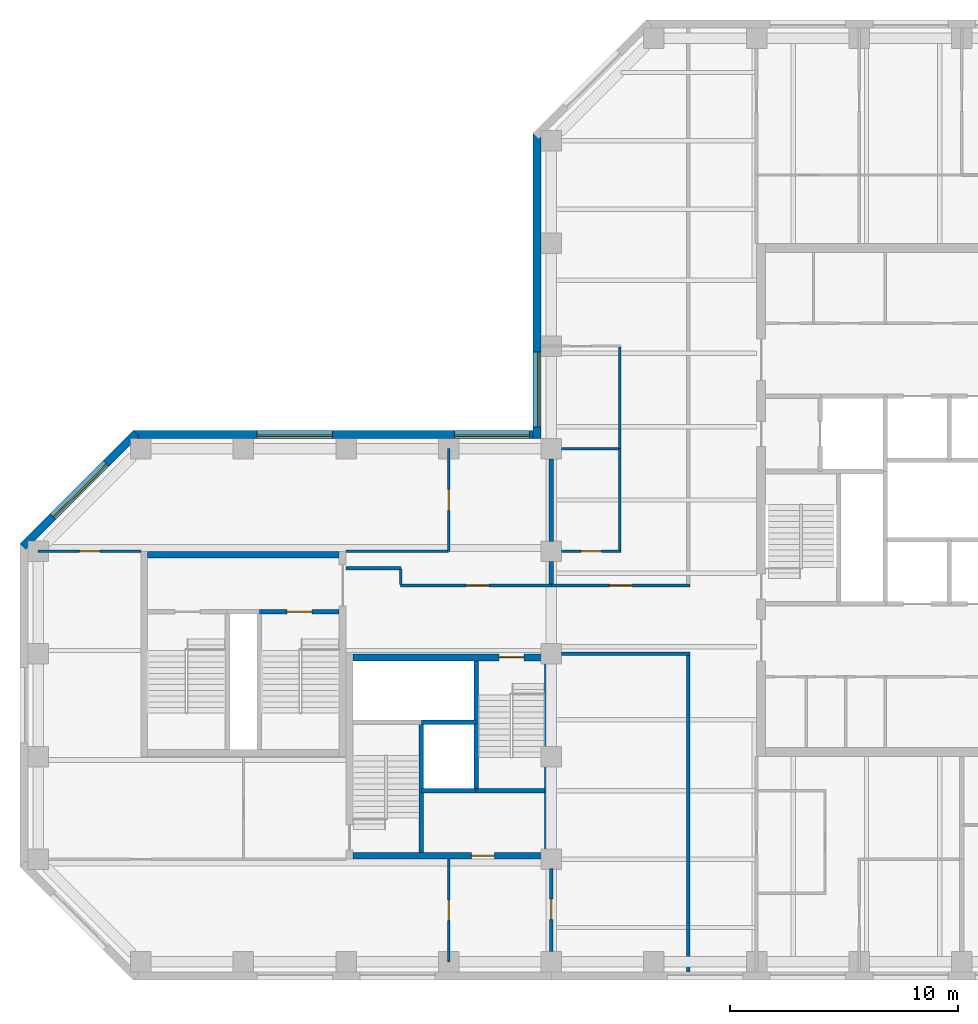
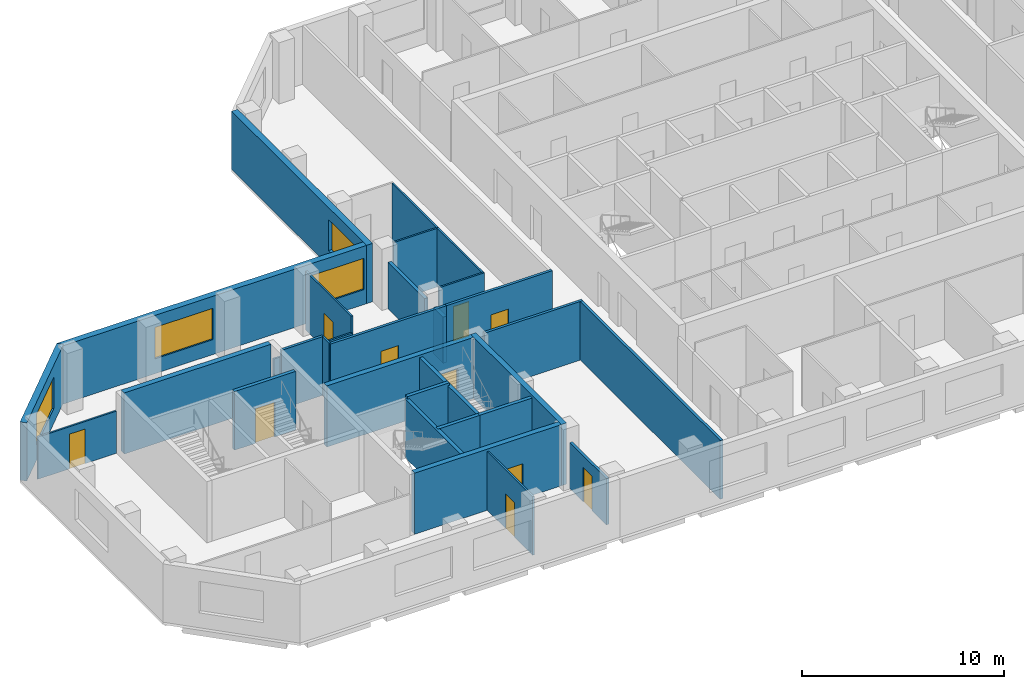
# One storey, part 3 of 9: 30 walls, 10 doors, 4 windows, 14 openings.
"""IFC4 building model written with IfcOpenShell, lengths in metres."""

import ifcopenshell
import ifcopenshell.guid

model = None  # the IFC model being written
_history = None  # IfcOwnerHistory: only IFC2X3 demands one
_inside = {}  # id of a spatial element -> (the spatial element, [elements in it])
_under = {}  # id of a project, library or spatial element -> (it, [spatial elements below it])
_declared = {}  # id of a project -> (the project, [libraries it declares])
_typed = {}  # id of a type object -> (the type object, [elements of that type])
_made_of = {}  # id of a material, layer set ... -> (it, [elements and type objects made of it])


def new_model(schema):
    """Start an empty IFC model of exactly this schema.

    Asked for "IFC4X3", IfcOpenShell would pick the latest addendum, in which some entities
    have other attributes; the version numbers below select the first issue.
    IFC2X3 requires an IfcOwnerHistory on every rooted entity: one is made here for all.
    """
    global model, _history
    if schema == "IFC4X3":
        model = ifcopenshell.file(schema_version=(4, 3, 0, 0))
    else:
        model = ifcopenshell.file(schema=schema)
    _inside.clear()
    _under.clear()
    _declared.clear()
    _typed.clear()
    _made_of.clear()
    _history = None
    if model.schema == "IFC2X3":
        org = make("IfcOrganization", Name="unknown")
        user = make(
            "IfcPersonAndOrganization",
            ThePerson=make("IfcPerson", FamilyName="unknown"),
            TheOrganization=org,
        )
        app = make(
            "IfcApplication",
            ApplicationDeveloper=org,
            Version="unknown",
            ApplicationFullName="unknown",
            ApplicationIdentifier="unknown",
        )
        _history = make(
            "IfcOwnerHistory",
            OwningUser=user,
            OwningApplication=app,
            ChangeAction="ADDED",
            CreationDate=0,
        )
    return model


def make(cls, **values):
    """One entity of the class cls with the attributes given. An attribute that is None is left unset."""
    return model.create_entity(
        cls, **{name: value for name, value in values.items() if value is not None}
    )


def rooted(cls, **values):
    """An entity with a GlobalId (a new one), such as an element, a storey or a relation."""
    return make(cls, GlobalId=ifcopenshell.guid.new(), OwnerHistory=_history, **values)


def si_unit(unit_type, name, prefix=None):
    """IfcSIUnit, for example si_unit("LENGTHUNIT", "METRE", prefix="MILLI")."""
    return make("IfcSIUnit", UnitType=unit_type, Prefix=prefix, Name=name)


def assignment(units):
    """IfcUnitAssignment: the units of a project."""
    return None if units is None else make("IfcUnitAssignment", Units=units)


def point(xyz):
    """IfcCartesianPoint."""
    return None if xyz is None else make("IfcCartesianPoint", Coordinates=xyz)


def direction(xyz):
    """IfcDirection."""
    return None if xyz is None else make("IfcDirection", DirectionRatios=xyz)


def frame(location, z_axis=None, x_axis=None):
    """IfcAxis2Placement3D, a coordinate frame: its origin and axes. An axis left out is left unset."""
    return make(
        "IfcAxis2Placement3D",
        Location=point(location),
        Axis=direction(z_axis),
        RefDirection=direction(x_axis),
    )


def frame_2d(location, x_axis=None):
    """IfcAxis2Placement2D, a coordinate frame in the plane: its origin and x axis."""
    return make(
        "IfcAxis2Placement2D", Location=point(location), RefDirection=direction(x_axis)
    )


def origin():
    """The frame at (0, 0, 0) with its axes left unset."""
    return frame((0.0, 0.0, 0.0))


def place(relative_to, where):
    """IfcLocalPlacement: puts the frame where relative to a parent placement (None: the world)."""
    return make(
        "IfcLocalPlacement", PlacementRelTo=relative_to, RelativePlacement=where
    )


def context(
    kind, dimensions, precision=None, world=None, true_north=None, identifier=None
):
    """IfcGeometricRepresentationContext, for example the 3D "Model" context."""
    return make(
        "IfcGeometricRepresentationContext",
        ContextIdentifier=identifier,
        ContextType=kind,
        CoordinateSpaceDimension=dimensions,
        Precision=precision,
        WorldCoordinateSystem=world,
        TrueNorth=true_north,
    )


def subcontext(parent, identifier, kind, view, scale=None):
    """IfcGeometricRepresentationSubContext, for example "Body" below "Model"."""
    return make(
        "IfcGeometricRepresentationSubContext",
        ContextIdentifier=identifier,
        ContextType=kind,
        ParentContext=parent,
        TargetScale=scale,
        TargetView=view,
    )


def project(units=None, contexts=None):
    """IfcProject with its units and contexts."""
    return rooted(
        "IfcProject",
        Name="project",
        RepresentationContexts=contexts,
        UnitsInContext=assignment(units),
    )


def spatial(cls, under=None, at=None, **own):
    """A site, building, storey or space (cls), placed at a placement, below another one or the project."""
    s = rooted(cls, ObjectPlacement=at, **own)
    if under is not None:
        _under.setdefault(under.id(), (under, []))[1].append(s)
    return s


def profile(cls, at=None, kind="AREA", **sizes):
    """A parametric profile (cls). Its sizes go by their IFC names, for example OverallWidth=200.0."""
    return make(cls, ProfileType=kind, Position=at, **sizes)


def rectangle(**sizes):
    """IfcRectangleProfileDef."""
    return profile("IfcRectangleProfileDef", **sizes)


def extrude(swept, where, along, depth):
    """IfcExtrudedAreaSolid: the profile swept, set in the frame where, extruded along a direction by depth."""
    return make(
        "IfcExtrudedAreaSolid",
        SweptArea=swept,
        Position=where,
        ExtrudedDirection=direction(along),
        Depth=depth,
    )


def shape(context_of_items, identifier, shape_type, items):
    """IfcShapeRepresentation: the items that make up one representation, for example the "Body"."""
    return make(
        "IfcShapeRepresentation",
        ContextOfItems=context_of_items,
        RepresentationIdentifier=identifier,
        RepresentationType=shape_type,
        Items=items,
    )


def material(Name=None, Category=None):
    """IfcMaterial."""
    return make("IfcMaterial", Name=Name, Category=Category)


def layer(
    of_material, thickness, ventilated=None, Name=None, Category=None, Priority=None
):
    """IfcMaterialLayer: one layer of a wall or slab, of a material (None: an air gap)."""
    return make(
        "IfcMaterialLayer",
        Material=of_material,
        LayerThickness=thickness,
        IsVentilated=ventilated,
        Name=Name,
        Category=Category,
        Priority=Priority,
    )


def layer_set(layers, Name=None):
    """IfcMaterialLayerSet."""
    return make("IfcMaterialLayerSet", MaterialLayers=layers, LayerSetName=Name)


def constituent(of_material, Name=None, Category=None, fraction=None):
    """IfcMaterialConstituent: one of the materials an element consists of."""
    return make(
        "IfcMaterialConstituent",
        Name=Name,
        Material=of_material,
        Fraction=fraction,
        Category=Category,
    )


def constituent_set(constituents=None, Name=None):
    """IfcMaterialConstituentSet."""
    return make(
        "IfcMaterialConstituentSet", Name=Name, MaterialConstituents=constituents
    )


def made_of(thing, what):
    """Note that an element or type object is made of a material, layer set ...; save() writes the relation."""
    if what is not None:
        _made_of.setdefault(what.id(), (what, []))[1].append(thing)
    return thing


def type_object(cls, material=None, **own):
    """A type object (cls), such as IfcWallType, which elements share."""
    return made_of(rooted(cls, **own), material)


def element(
    cls,
    number,
    at=None,
    inside=None,
    cuts=None,
    type_object=None,
    material=None,
    context=None,
    identifier="Body",
    shape_type=None,
    held_by="IfcProductDefinitionShape",
    body=None,
    shapes=None,
    **own,
):
    """One element of the class cls, such as IfcWall. Its Tag is "e" and its number.

    at: its placement. inside: the storey or other place that contains it. cuts: it is an
    opening in that element (IfcRelVoidsElement). A single representation is given by context,
    identifier, shape_type and body (its items); several are given by shapes. held_by: the class
    of the entity that holds the representations. save() writes the other relations.
    """
    e = rooted(cls, Tag="e%d" % number, ObjectPlacement=at, **own)
    if body is not None:
        shapes = [shape(context, identifier, shape_type, body)]
    if shapes is not None:
        e.Representation = make(held_by, Representations=shapes)
    if inside is not None:
        _inside.setdefault(inside.id(), (inside, []))[1].append(e)
    if cuts is not None:
        rooted(
            "IfcRelVoidsElement", RelatingBuildingElement=cuts, RelatedOpeningElement=e
        )
    if type_object is not None:
        _typed.setdefault(type_object.id(), (type_object, []))[1].append(e)
    return made_of(e, material)


def fill(opening, filler):
    """IfcRelFillsElement: the door or window that sits in an opening."""
    return rooted(
        "IfcRelFillsElement",
        RelatingOpeningElement=opening,
        RelatedBuildingElement=filler,
    )


def aggregate(whole, parts):
    """IfcRelAggregates: a whole, such as a stair, and the parts it consists of."""
    return rooted("IfcRelAggregates", RelatingObject=whole, RelatedObjects=parts)


def save(model, path):
    """Write the relations noted so far, then the file.

    IfcRelAggregates (storeys below a building ...), IfcRelContainedInSpatialStructure (elements
    in a storey), IfcRelDefinesByType, IfcRelAssociatesMaterial and IfcRelDeclares: one each for
    every whole, place, type object, material and project.
    """
    for whole, parts in _under.values():
        aggregate(whole, parts)
    for where, things in _inside.values():
        rooted(
            "IfcRelContainedInSpatialStructure",
            RelatedElements=things,
            RelatingStructure=where,
        )
    for kind, things in _typed.values():
        rooted("IfcRelDefinesByType", RelatedObjects=things, RelatingType=kind)
    for what, things in _made_of.values():
        rooted("IfcRelAssociatesMaterial", RelatedObjects=things, RelatingMaterial=what)
    for by, libraries in _declared.values():
        rooted("IfcRelDeclares", RelatingContext=by, RelatedDefinitions=libraries)
    model.write(path)


model = new_model("IFC4")

# Units and contexts
model_context = context("Model", 3, precision=1e-05, world=origin(), true_north=direction((0.0, 1.0)))
body_context = subcontext(model_context, "Body", "Model", "MODEL_VIEW")
ifc_project = project(units=[si_unit("LENGTHUNIT", "METRE"), si_unit("AREAUNIT", "SQUARE_METRE"), si_unit("VOLUMEUNIT", "CUBIC_METRE"), si_unit("PLANEANGLEUNIT", "RADIAN"), si_unit("MASSUNIT", "GRAM", prefix="KILO")], contexts=[model_context])

# Site, building, storey
site_placement = place(None, origin())
site = spatial("IfcSite", under=ifc_project, at=site_placement, CompositionType="ELEMENT")
building_placement = place(site_placement, origin())
building = spatial("IfcBuilding", under=site, at=building_placement, Name="Quoin Convention Tower", CompositionType="ELEMENT")
storey_placement = place(building_placement, frame((0.0, 0.0, 241.5)))
storey = spatial("IfcBuildingStorey", under=building, at=storey_placement, Name="L63", CompositionType="ELEMENT", Elevation=241.5)

# Wall, opening, window
ifc_material_1 = material(Name="Brick masonry", Category="masonry")
ifc_layer_1 = layer(ifc_material_1, 0.35009765625)
ifc_layer_set_1 = layer_set([ifc_layer_1], Name="Brick masonry")
wall_type_1 = type_object("IfcWallType", Name="Brick facade wall", PredefinedType="STANDARD", material=ifc_layer_set_1)
wall_1_placement = place(storey_placement, frame((35.375, 76.831298828125, 0.0), z_axis=(0.0, 0.0, 1.0), x_axis=(0.0, -1.0, 0.0)))
wall_1 = element("IfcWall", 1, at=wall_1_placement, inside=storey, type_object=wall_type_1, Name="fw-L63-36000_76500", PredefinedType="STANDARD", context=body_context, shape_type="SweptSolid", body=[
    extrude(rectangle(XDim=13.38134765625, YDim=0.35009765625, at=frame_2d((6.690673828125, 0.0))), origin(), (0.0, 0.0, 1.0), 3.52490234375),
])
opening_1_placement = place(wall_1_placement, frame((9.581298828125, 0.0, 0.89990234375)))
opening_1 = element("IfcOpeningElement", 2, at=opening_1_placement, cuts=wall_1, Name="Opening W-02", PredefinedType="OPENING", context=body_context, shape_type="SweptSolid", body=[
    extrude(rectangle(XDim=3.300048828125, YDim=1.89990234375, at=frame_2d((1.64990234375, 0.949951171875))), frame((0.0, 0.18505859375, 0.0), z_axis=(0.0, -1.0, 0.0), x_axis=(1.0, 0.0, 0.0)), (0.0, 0.0, 1.0), 0.3701171875),
])
ifc_material_2 = material(Name="Aluminium", Category="aluminium")
ifc_constituent_1 = constituent(ifc_material_2, Name="Frame")
ifc_material_3 = material(Name="Insulated glass", Category="glass")
ifc_constituent_2 = constituent(ifc_material_3, Name="Glazing")
ifc_constituent_set = constituent_set(constituents=[ifc_constituent_1, ifc_constituent_2], Name="Aluminium")
window_type = type_object("IfcWindowType", Name="Office window", PartitioningType="DOUBLE_PANEL_VERTICAL", PredefinedType="WINDOW", material=ifc_constituent_set)
window_1_placement = place(opening_1_placement, origin())
window_1 = element("IfcWindow", 3, at=window_1_placement, inside=storey, type_object=window_type, Name="win-L63-35375_65250", OverallHeight=1.89990234375, OverallWidth=3.300048828125, PartitioningType="SINGLE_PANEL", PredefinedType="WINDOW", context=body_context, shape_type="SweptSolid", body=[
    extrude(rectangle(XDim=3.300048828125, YDim=1.89990234375, at=frame_2d((1.64990234375, 0.949951171875))), frame((0.0, 0.0849609375, 0.0), z_axis=(0.0, -1.0, 0.0), x_axis=(1.0, 0.0, 0.0)), (0.0, 0.0, 1.0), 0.06005859375),
])
fill(opening_1, window_1)

# Wall, openings, windows
wall_2_placement = place(storey_placement, frame((35.550048828125, 63.625, 0.0), z_axis=(0.0, 0.0, 1.0), x_axis=(-1.0, 0.0, 0.0)))
wall_2 = element("IfcWall", 4, at=wall_2_placement, inside=storey, type_object=wall_type_1, Name="fw-L63-36000_63000", PredefinedType="STANDARD", context=body_context, shape_type="SweptSolid", body=[
    extrude(rectangle(XDim=17.88134765625, YDim=0.35009765625, at=frame_2d((8.940673828125, 0.0))), origin(), (0.0, 0.0, 1.0), 3.52490234375),
])
opening_2_placement = place(wall_2_placement, frame((0.5, 0.0, 0.89990234375)))
opening_2 = element("IfcOpeningElement", 5, at=opening_2_placement, cuts=wall_2, Name="Opening W-02", PredefinedType="OPENING", context=body_context, shape_type="SweptSolid", body=[
    extrude(rectangle(XDim=3.300048828125, YDim=1.89990234375, at=frame_2d((1.64990234375, 0.949951171875))), frame((0.0, 0.18505859375, 0.0), z_axis=(0.0, -1.0, 0.0), x_axis=(1.0, 0.0, 0.0)), (0.0, 0.0, 1.0), 0.3701171875),
])
opening_3_placement = place(wall_2_placement, frame((9.14990234375, 0.0, 0.89990234375)))
opening_3 = element("IfcOpeningElement", 6, at=opening_3_placement, cuts=wall_2, Name="Opening W-02", PredefinedType="OPENING", context=body_context, shape_type="SweptSolid", body=[
    extrude(rectangle(XDim=3.300048828125, YDim=1.89990234375, at=frame_2d((1.64990234375, 0.949951171875))), frame((0.0, 0.18505859375, 0.0), z_axis=(0.0, -1.0, 0.0), x_axis=(1.0, 0.0, 0.0)), (0.0, 0.0, 1.0), 0.3701171875),
])
window_2_placement = place(opening_2_placement, origin())
window_2 = element("IfcWindow", 7, at=window_2_placement, inside=storey, type_object=window_type, Name="win-L63-33750_63625", OverallHeight=1.89990234375, OverallWidth=3.300048828125, PartitioningType="SINGLE_PANEL", PredefinedType="WINDOW", context=body_context, shape_type="SweptSolid", body=[
    extrude(rectangle(XDim=3.300048828125, YDim=1.89990234375, at=frame_2d((1.64990234375, 0.949951171875))), frame((0.0, 0.0849609375, 0.0), z_axis=(0.0, -1.0, 0.0), x_axis=(1.0, 0.0, 0.0)), (0.0, 0.0, 1.0), 0.06005859375),
])
fill(opening_2, window_2)
window_3_placement = place(opening_3_placement, origin())
window_3 = element("IfcWindow", 8, at=window_3_placement, inside=storey, type_object=window_type, Name="win-L63-24750_63625", OverallHeight=1.89990234375, OverallWidth=3.300048828125, PartitioningType="SINGLE_PANEL", PredefinedType="WINDOW", context=body_context, shape_type="SweptSolid", body=[
    extrude(rectangle(XDim=3.300048828125, YDim=1.89990234375, at=frame_2d((1.64990234375, 0.949951171875))), frame((0.0, 0.0849609375, 0.0), z_axis=(0.0, -1.0, 0.0), x_axis=(1.0, 0.0, 0.0)), (0.0, 0.0, 1.0), 0.06005859375),
])
fill(opening_3, window_3)

# Wall, opening, window
wall_3_placement = place(storey_placement, frame((17.79248046875, 63.67626953125, 0.0), z_axis=(0.0, 0.0, 1.0), x_axis=(-0.707106781187, -0.707106781187, 0.0)))
wall_3 = element("IfcWall", 9, at=wall_3_placement, inside=storey, type_object=wall_type_1, Name="fw-L63-18000_63000", PredefinedType="STANDARD", context=body_context, shape_type="SweptSolid", body=[
    extrude(rectangle(XDim=7.02685546875, YDim=0.35009765625, at=frame_2d((3.513427734375, 0.0))), origin(), (0.0, 0.0, 1.0), 3.52490234375),
])
opening_4_placement = place(wall_3_placement, frame((1.86328125, 0.0, 0.89990234375)))
opening_4 = element("IfcOpeningElement", 10, at=opening_4_placement, cuts=wall_3, Name="Opening W-02", PredefinedType="OPENING", context=body_context, shape_type="SweptSolid", body=[
    extrude(rectangle(XDim=3.300048828125, YDim=1.89990234375, at=frame_2d((1.64990234375, 0.949951171875))), frame((0.0, 0.18505859375, 0.0), z_axis=(0.0, -1.0, 0.0), x_axis=(1.0, 0.0, 0.0)), (0.0, 0.0, 1.0), 0.3701171875),
])
window_4_placement = place(opening_4_placement, origin())
window_4 = element("IfcWindow", 11, at=window_4_placement, inside=storey, type_object=window_type, Name="win-L63-15308_61192", OverallHeight=1.89990234375, OverallWidth=3.300048828125, PartitioningType="SINGLE_PANEL", PredefinedType="WINDOW", context=body_context, shape_type="SweptSolid", body=[
    extrude(rectangle(XDim=3.300048828125, YDim=1.89990234375, at=frame_2d((1.64990234375, 0.949951171875))), frame((0.0, 0.0849609375, 0.0), z_axis=(0.0, -1.0, 0.0), x_axis=(1.0, 0.0, 0.0)), (0.0, 0.0, 1.0), 0.06005859375),
])
fill(opening_4, window_4)

# Walls
ifc_material_4 = material(Name="Concrete C50", Category="concrete")
ifc_layer_2 = layer(ifc_material_4, 0.199951171875)
ifc_layer_set_2 = layer_set([ifc_layer_2], Name="Concrete C50")
wall_type_2 = type_object("IfcWallType", Name="Core shaft wall", PredefinedType="SOLIDWALL", material=ifc_layer_set_2)
wall_4_placement = place(storey_placement, frame((30.300048828125, 48.0, 0.0), z_axis=(0.0, 0.0, 1.0), x_axis=(1.0, 0.0, 0.0)))
element("IfcWall", 12, at=wall_4_placement, inside=storey, type_object=wall_type_2, Name="cr-P2-L63-h3000_3300", PredefinedType="SOLIDWALL", context=body_context, shape_type="SweptSolid", body=[
    extrude(rectangle(XDim=2.39990234375, YDim=0.199951171875, at=frame_2d((1.199951171875, 0.0))), origin(), (0.0, 0.0, 1.0), 3.550048828125),
])
wall_5_placement = place(storey_placement, frame((32.699951171875, 48.0, 0.0), z_axis=(0.0, 0.0, 1.0), x_axis=(1.0, 0.0, 0.0)))
element("IfcWall", 13, at=wall_5_placement, inside=storey, type_object=wall_type_2, Name="cr-P2-L63-h3000_5700", PredefinedType="SOLIDWALL", context=body_context, shape_type="SweptSolid", body=[
    extrude(rectangle(XDim=3.0, YDim=0.199951171875, at=frame_2d((1.5, 0.0))), origin(), (0.0, 0.0, 1.0), 3.550048828125),
])
for number, where, z_axis, x_axis, name in (
    (14, (30.300048828125, 45.300048828125, 0.0), (0.0, 0.0, 1.0), (0.0, 1.0, 0.0), "cr-P2-L63-v3300_300"),
    (15, (32.699951171875, 48.0, 0.0), (0.0, 0.0, 1.0), (0.0, 1.0, 0.0), "cr-P2-L63-v5700_3000"),
):
    element("IfcWall", number, at=place(storey_placement, frame(where, z_axis=z_axis, x_axis=x_axis)), inside=storey, type_object=wall_type_2, Name=name, PredefinedType="SOLIDWALL", context=body_context, shape_type="SweptSolid", body=[
        extrude(rectangle(XDim=5.699951171875, YDim=0.199951171875, at=frame_2d((2.85009765625, 0.0))), origin(), (0.0, 0.0, 1.0), 3.550048828125),
    ])

# Wall, opening, door
wall_6_placement = place(storey_placement, frame((23.199951171875, 55.85009765625, 0.0), z_axis=(0.0, 0.0, 1.0), x_axis=(1.0, 0.0, 0.0)))
wall_6 = element("IfcWall", 16, at=wall_6_placement, inside=storey, type_object=wall_type_2, Name="cr-P6-L63-h6350_5200", PredefinedType="SOLIDWALL", context=body_context, shape_type="SweptSolid", body=[
    extrude(rectangle(XDim=3.5, YDim=0.199951171875, at=frame_2d((1.75, 0.0))), origin(), (0.0, 0.0, 1.0), 3.550048828125),
])
opening_5_placement = place(wall_6_placement, frame((1.199951171875, 0.0, 0.0)))
opening_5 = element("IfcOpeningElement", 17, at=opening_5_placement, cuts=wall_6, Name="Opening SD12", PredefinedType="OPENING", context=body_context, shape_type="SweptSolid", body=[
    extrude(rectangle(XDim=1.10009765625, YDim=2.10009765625, at=frame_2d((0.550048828125, 1.050048828125))), frame((0.0, 0.10986328125, 0.0), z_axis=(0.0, -1.0, 0.0), x_axis=(1.0, 0.0, 0.0)), (0.0, 0.0, 1.0), 0.219970703125),
])
ifc_material_5 = material(Name="Steel door leaf", Category="steel")
door_type_1 = type_object("IfcDoorType", Name="Stair door 1100 x 2100", OperationType="SINGLE_SWING_RIGHT", PredefinedType="DOOR", material=ifc_material_5)
door_1_placement = place(opening_5_placement, origin())
door_1 = element("IfcDoor", 18, at=door_1_placement, inside=storey, type_object=door_type_1, Name="cd-P6-L63-SB-R2-SD12", OperationType="SINGLE_SWING_RIGHT", OverallHeight=2.10009765625, OverallWidth=1.10009765625, PredefinedType="DOOR", context=body_context, shape_type="SweptSolid", body=[
    extrude(rectangle(XDim=1.10009765625, YDim=2.10009765625, at=frame_2d((0.550048828125, 1.050048828125))), frame((0.0, 0.02490234375, 0.0), z_axis=(0.0, -1.0, 0.0), x_axis=(1.0, 0.0, 0.0)), (0.0, 0.0, 1.0), 0.050048828125),
])
fill(opening_5, door_1)

# Walls
ifc_layer_3 = layer(ifc_material_4, 0.199951171875)
ifc_layer_set_3 = layer_set([ifc_layer_3], Name="Concrete C50")
wall_type_3 = type_object("IfcWallType", Name="Core shaft wall to the floor level over", PredefinedType="SOLIDWALL", material=ifc_layer_set_3)
wall_7_placement = place(storey_placement, frame((30.300048828125, 51.0, 0.0), z_axis=(0.0, 0.0, 1.0), x_axis=(1.0, 0.0, 0.0)))
element("IfcWall", 19, at=wall_7_placement, inside=storey, type_object=wall_type_3, Name="cr-P2-L63-h6000_3300", PredefinedType="SOLIDWALL", context=body_context, shape_type="SweptSolid", body=[
    extrude(rectangle(XDim=2.39990234375, YDim=0.199951171875, at=frame_2d((1.199951171875, 0.0))), origin(), (0.0, 0.0, 1.0), 3.699951171875),
])
ifc_material_6 = material(Name="Plasterboard")
ifc_layer_4 = layer(ifc_material_6, 0.012451171875, Name="Finish")
ifc_material_7 = material(Name="Steel stud framing", Category="steel")
ifc_layer_5 = layer(ifc_material_7, 0.125, Name="Structure")
ifc_layer_6 = layer(ifc_material_6, 0.012451171875, Name="Finish")
ifc_layer_set_4 = layer_set([ifc_layer_4, ifc_layer_5, ifc_layer_6], Name="Steel stud framing")
wall_type_4 = type_object("IfcWallType", Name="Corridor wall 150", PredefinedType="PARTITIONING", material=ifc_layer_set_4)
wall_8_placement = place(storey_placement, frame((36.449951171875, 54.0, 0.0), z_axis=(0.0, 0.0, 1.0), x_axis=(1.0, 0.0, 0.0)))
element("IfcWall", 20, at=wall_8_placement, inside=storey, type_object=wall_type_4, Name="pw-L63-016", PredefinedType="PARTITIONING", context=body_context, shape_type="SweptSolid", body=[
    extrude(rectangle(XDim=5.625, YDim=0.14990234375, at=frame_2d((2.8125, 0.0))), origin(), (0.0, 0.0, 1.0), 3.550048828125),
])

# Wall, opening, door
wall_9_placement = place(storey_placement, frame((29.3798828125, 57.0, 0.0), z_axis=(0.0, 0.0, 1.0), x_axis=(1.0, 0.0, 0.0)))
wall_9 = element("IfcWall", 21, at=wall_9_placement, inside=storey, type_object=wall_type_4, Name="pw-L63-018", PredefinedType="PARTITIONING", context=body_context, shape_type="SweptSolid", body=[
    extrude(rectangle(XDim=6.6201171875, YDim=0.14990234375, at=frame_2d((3.31005859375, 0.0))), origin(), (0.0, 0.0, 1.0), 3.550048828125),
])
opening_6_placement = place(wall_9_placement, frame((2.8798828125, 0.0, 0.0)))
opening_6 = element("IfcOpeningElement", 22, at=opening_6_placement, cuts=wall_9, Name="Opening DOH11-03", PredefinedType="OPENING", context=body_context, shape_type="SweptSolid", body=[
    extrude(rectangle(XDim=1.0, YDim=2.10009765625, at=frame_2d((0.5, 1.050048828125))), frame((0.0, 0.0849609375, 0.0), z_axis=(0.0, -1.0, 0.0), x_axis=(1.0, 0.0, 0.0)), (0.0, 0.0, 1.0), 0.169921875),
])
door_type_2 = type_object("IfcDoorType", Name="Tenancy entrance door 1000 x 2100", OperationType="DOUBLE_DOOR_SINGLE_SWING", PredefinedType="DOOR", material=ifc_material_5)
door_2_placement = place(opening_6_placement, origin())
door_2 = element("IfcDoor", 23, at=door_2_placement, inside=storey, type_object=door_type_2, Name="dr-L63-w01", OperationType="DOUBLE_DOOR_SINGLE_SWING", OverallHeight=2.10009765625, OverallWidth=1.0, PredefinedType="DOOR", context=body_context, shape_type="SweptSolid", body=[
    extrude(rectangle(XDim=1.0, YDim=2.10009765625, at=frame_2d((0.5, 1.050048828125))), frame((0.0, 0.02490234375, 0.0), z_axis=(0.0, -1.0, 0.0), x_axis=(1.0, 0.0, 0.0)), (0.0, 0.0, 1.0), 0.050048828125),
])
fill(opening_6, door_2)

wall_10_placement = place(storey_placement, frame((36.0, 57.0, 0.0), z_axis=(0.0, 0.0, 1.0), x_axis=(1.0, 0.0, 0.0)))
wall_10 = element("IfcWall", 24, at=wall_10_placement, inside=storey, type_object=wall_type_4, Name="pw-L63-019", PredefinedType="PARTITIONING", context=body_context, shape_type="SweptSolid", body=[
    extrude(rectangle(XDim=6.074951171875, YDim=0.14990234375, at=frame_2d((3.03759765625, 0.0))), origin(), (0.0, 0.0, 1.0), 3.550048828125),
])
opening_7_placement = place(wall_10_placement, frame((2.550048828125, 0.0, 0.0)))
opening_7 = element("IfcOpeningElement", 25, at=opening_7_placement, cuts=wall_10, Name="Opening DOH11-04", PredefinedType="OPENING", context=body_context, shape_type="SweptSolid", body=[
    extrude(rectangle(XDim=1.0, YDim=2.10009765625, at=frame_2d((0.5, 1.050048828125))), frame((0.0, 0.0849609375, 0.0), z_axis=(0.0, -1.0, 0.0), x_axis=(1.0, 0.0, 0.0)), (0.0, 0.0, 1.0), 0.169921875),
])
door_3_placement = place(opening_7_placement, origin())
door_3 = element("IfcDoor", 26, at=door_3_placement, inside=storey, type_object=door_type_2, Name="dr-L63-07", OperationType="DOUBLE_DOOR_SINGLE_SWING", OverallHeight=2.10009765625, OverallWidth=1.0, PredefinedType="DOOR", context=body_context, shape_type="SweptSolid", body=[
    extrude(rectangle(XDim=1.0, YDim=2.10009765625, at=frame_2d((0.5, 1.050048828125))), frame((0.0, 0.02490234375, 0.0), z_axis=(0.0, -1.0, 0.0), x_axis=(1.0, 0.0, 0.0)), (0.0, 0.0, 1.0), 0.050048828125),
])
fill(opening_7, door_3)

# Walls
wall_11_placement = place(storey_placement, frame((42.0, 40.050048828125, 0.0), z_axis=(0.0, 0.0, 1.0), x_axis=(0.0, 1.0, 0.0)))
element("IfcWall", 27, at=wall_11_placement, inside=storey, type_object=wall_type_4, Name="pw-L63-035", PredefinedType="PARTITIONING", context=body_context, shape_type="SweptSolid", body=[
    extrude(rectangle(XDim=13.875, YDim=0.14990234375, at=frame_2d((6.9375, 0.0))), origin(), (0.0, 0.0, 1.0), 3.550048828125),
])
wall_12_placement = place(storey_placement, frame((27.0, 57.75, 0.0), z_axis=(0.0, 0.0, 1.0), x_axis=(1.0, 0.0, 0.0)))
element("IfcWall", 28, at=wall_12_placement, inside=storey, type_object=wall_type_4, Name="pw-L63-w08", PredefinedType="PARTITIONING", context=body_context, shape_type="SweptSolid", body=[
    extrude(rectangle(XDim=2.39990234375, YDim=0.14990234375, at=frame_2d((1.199951171875, 0.0))), origin(), (0.0, 0.0, 1.0), 3.550048828125),
])

# Wall, opening, door
ifc_layer_7 = layer(ifc_material_6, 0.012451171875, Name="Finish")
ifc_layer_8 = layer(ifc_material_7, 0.125, Name="Structure")
ifc_layer_9 = layer(ifc_material_6, 0.012451171875, Name="Finish")
ifc_layer_set_5 = layer_set([ifc_layer_7, ifc_layer_8, ifc_layer_9], Name="Steel stud framing")
wall_type_5 = type_object("IfcWallType", Name="Corridor wall 150 under beam 750", PredefinedType="PARTITIONING", material=ifc_layer_set_5)
wall_13_placement = place(storey_placement, frame((36.0, 40.949951171875, 0.0), z_axis=(0.0, 0.0, 1.0), x_axis=(0.0, 1.0, 0.0)))
wall_13 = element("IfcWall", 29, at=wall_13_placement, inside=storey, type_object=wall_type_5, Name="pw-L63-043", PredefinedType="PARTITIONING", context=body_context, shape_type="SweptSolid", body=[
    extrude(rectangle(XDim=3.630126953125, YDim=0.14990234375, at=frame_2d((1.81494140625, 0.0))), origin(), (0.0, 0.0, 1.0), 2.800048828125),
])
opening_8_placement = place(wall_13_placement, frame((1.39990234375, 0.0, 0.0)))
opening_8 = element("IfcOpeningElement", 30, at=opening_8_placement, cuts=wall_13, Name="Opening DOH11-11", PredefinedType="OPENING", context=body_context, shape_type="SweptSolid", body=[
    extrude(rectangle(XDim=0.89990234375, YDim=2.10009765625, at=frame_2d((0.449951171875, 1.050048828125))), frame((0.0, 0.0849609375, 0.0), z_axis=(0.0, -1.0, 0.0), x_axis=(1.0, 0.0, 0.0)), (0.0, 0.0, 1.0), 0.169921875),
])
door_type_3 = type_object("IfcDoorType", Name="Office door 900 x 2100", OperationType="SINGLE_SWING_RIGHT", PredefinedType="DOOR", material=ifc_material_5)
door_4_placement = place(opening_8_placement, frame((0.89990234375, 0.0, 0.0), z_axis=(0.0, 0.0, 1.0), x_axis=(-1.0, 0.0, 0.0)))
door_4 = element("IfcDoor", 31, at=door_4_placement, inside=storey, type_object=door_type_3, Name="dr-L63-01", OperationType="SINGLE_SWING_LEFT", OverallHeight=2.10009765625, OverallWidth=0.89990234375, PredefinedType="DOOR", context=body_context, shape_type="SweptSolid", body=[
    extrude(rectangle(XDim=0.89990234375, YDim=2.10009765625, at=frame_2d((0.449951171875, 1.050048828125))), frame((0.0, 0.02490234375, 0.0), z_axis=(0.0, -1.0, 0.0), x_axis=(1.0, 0.0, 0.0)), (0.0, 0.0, 1.0), 0.050048828125),
])
fill(opening_8, door_4)

ifc_layer_10 = layer(ifc_material_4, 0.300048828125)
ifc_layer_set_6 = layer_set([ifc_layer_10], Name="Concrete C50")
wall_type_6 = type_object("IfcWallType", Name="RC CORE WALL 300 C50", PredefinedType="SHEAR", material=ifc_layer_set_6)
wall_14_placement = place(storey_placement, frame((27.300048828125, 45.14990234375, 0.0), z_axis=(0.0, 0.0, 1.0), x_axis=(1.0, 0.0, 0.0)))
wall_14 = element("IfcWall", 32, at=wall_14_placement, inside=storey, type_object=wall_type_6, Name="cwl-P2-L63-S", PredefinedType="SHEAR", context=body_context, shape_type="SweptSolid", body=[
    extrude(rectangle(XDim=8.39990234375, YDim=0.300048828125, at=frame_2d((4.199951171875, 0.0))), origin(), (0.0, 0.0, 1.0), 3.699951171875),
])
opening_9_placement = place(wall_14_placement, frame((5.199951171875, 0.0, 0.0)))
opening_9 = element("IfcOpeningElement", 33, at=opening_9_placement, cuts=wall_14, Name="Opening DCV3-41", PredefinedType="OPENING", context=body_context, shape_type="SweptSolid", body=[
    extrude(rectangle(XDim=1.0, YDim=2.10009765625, at=frame_2d((0.5, 1.050048828125))), frame((0.0, 0.159912109375, 0.0), z_axis=(0.0, -1.0, 0.0), x_axis=(1.0, 0.0, 0.0)), (0.0, 0.0, 1.0), 0.320068359375),
])
door_type_4 = type_object("IfcDoorType", Name="Service door 1000 x 2100", OperationType="SINGLE_SWING_LEFT", PredefinedType="DOOR", material=ifc_material_5)
door_5_placement = place(opening_9_placement, frame((1.0, 0.0, 0.0), z_axis=(0.0, 0.0, 1.0), x_axis=(-1.0, 0.0, 0.0)))
door_5 = element("IfcDoor", 34, at=door_5_placement, inside=storey, type_object=door_type_4, Name="cd-P2-L63-R2-S", OperationType="SINGLE_SWING_RIGHT", OverallHeight=2.10009765625, OverallWidth=1.0, PredefinedType="DOOR", context=body_context, shape_type="SweptSolid", body=[
    extrude(rectangle(XDim=1.0, YDim=2.10009765625, at=frame_2d((0.5, 1.050048828125))), frame((0.0, 0.02490234375, 0.0), z_axis=(0.0, -1.0, 0.0), x_axis=(1.0, 0.0, 0.0)), (0.0, 0.0, 1.0), 0.050048828125),
])
fill(opening_9, door_5)

wall_15_placement = place(storey_placement, frame((27.300048828125, 53.85009765625, 0.0), z_axis=(0.0, 0.0, 1.0), x_axis=(1.0, 0.0, 0.0)))
wall_15 = element("IfcWall", 35, at=wall_15_placement, inside=storey, type_object=wall_type_6, Name="cwl-P2-L63-N", PredefinedType="SHEAR", context=body_context, shape_type="SweptSolid", body=[
    extrude(rectangle(XDim=8.39990234375, YDim=0.300048828125, at=frame_2d((4.199951171875, 0.0))), origin(), (0.0, 0.0, 1.0), 3.699951171875),
])
opening_10_placement = place(wall_15_placement, frame((6.39990234375, 0.0, 0.0)))
opening_10 = element("IfcOpeningElement", 36, at=opening_10_placement, cuts=wall_15, Name="Opening SD4", PredefinedType="OPENING", context=body_context, shape_type="SweptSolid", body=[
    extrude(rectangle(XDim=1.10009765625, YDim=2.10009765625, at=frame_2d((0.550048828125, 1.050048828125))), frame((0.0, 0.159912109375, 0.0), z_axis=(0.0, -1.0, 0.0), x_axis=(1.0, 0.0, 0.0)), (0.0, 0.0, 1.0), 0.320068359375),
])
door_6_placement = place(opening_10_placement, frame((1.10009765625, 0.0, 0.0), z_axis=(0.0, 0.0, 1.0), x_axis=(-1.0, 0.0, 0.0)))
door_6 = element("IfcDoor", 37, at=door_6_placement, inside=storey, type_object=door_type_1, Name="cd-P2-L63-SB-N", OperationType="SINGLE_SWING_LEFT", OverallHeight=2.10009765625, OverallWidth=1.10009765625, PredefinedType="DOOR", context=body_context, shape_type="SweptSolid", body=[
    extrude(rectangle(XDim=1.10009765625, YDim=2.10009765625, at=frame_2d((0.550048828125, 1.050048828125))), frame((0.0, 0.02490234375, 0.0), z_axis=(0.0, -1.0, 0.0), x_axis=(1.0, 0.0, 0.0)), (0.0, 0.0, 1.0), 0.050048828125),
])
fill(opening_10, door_6)

# Walls
wall_16_placement = place(storey_placement, frame((35.85009765625, 45.0, 0.0), z_axis=(0.0, 0.0, 1.0), x_axis=(0.0, 1.0, 0.0)))
element("IfcWall", 38, at=wall_16_placement, inside=storey, type_object=wall_type_6, Name="cwl-P2-L63-E", PredefinedType="SHEAR", context=body_context, shape_type="SweptSolid", body=[
    extrude(rectangle(XDim=9.0, YDim=0.300048828125, at=frame_2d((4.5, 0.0))), origin(), (0.0, 0.0, 1.0), 3.699951171875),
])
wall_17_placement = place(storey_placement, frame((18.300048828125, 58.35009765625, 0.0), z_axis=(0.0, 0.0, 1.0), x_axis=(1.0, 0.0, 0.0)))
element("IfcWall", 39, at=wall_17_placement, inside=storey, type_object=wall_type_6, Name="cwl-P6-L63-N", PredefinedType="SHEAR", context=body_context, shape_type="SweptSolid", body=[
    extrude(rectangle(XDim=8.39990234375, YDim=0.300048828125, at=frame_2d((4.199951171875, 0.0))), origin(), (0.0, 0.0, 1.0), 3.699951171875),
])

# Wall, opening, door
ifc_layer_11 = layer(ifc_material_6, 0.012451171875, Name="Finish")
ifc_layer_12 = layer(ifc_material_7, 0.074951171875, Name="Structure")
ifc_layer_13 = layer(ifc_material_6, 0.012451171875, Name="Finish")
ifc_layer_set_7 = layer_set([ifc_layer_11, ifc_layer_12, ifc_layer_13], Name="Steel stud framing")
wall_type_7 = type_object("IfcWallType", Name="Stud partition 100", PredefinedType="PARTITIONING", material=ifc_layer_set_7)
wall_18_placement = place(storey_placement, frame((36.449951171875, 58.5, 0.0), z_axis=(0.0, 0.0, 1.0), x_axis=(1.0, 0.0, 0.0)))
wall_18 = element("IfcWall", 40, at=wall_18_placement, inside=storey, type_object=wall_type_7, Name="pw-L63-020", PredefinedType="PARTITIONING", context=body_context, shape_type="SweptSolid", body=[
    extrude(rectangle(XDim=2.60009765625, YDim=0.10009765625, at=frame_2d((1.300048828125, 0.0))), origin(), (0.0, 0.0, 1.0), 3.550048828125),
])
opening_11_placement = place(wall_18_placement, frame((0.85009765625, 0.0, 0.0)))
opening_11 = element("IfcOpeningElement", 41, at=opening_11_placement, cuts=wall_18, Name="Opening DOH11-05", PredefinedType="OPENING", context=body_context, shape_type="SweptSolid", body=[
    extrude(rectangle(XDim=0.89990234375, YDim=2.10009765625, at=frame_2d((0.449951171875, 1.050048828125))), frame((0.0, 0.06005859375, 0.0), z_axis=(0.0, -1.0, 0.0), x_axis=(1.0, 0.0, 0.0)), (0.0, 0.0, 1.0), 0.1201171875),
])
door_7_placement = place(opening_11_placement, frame((0.89990234375, 0.0, 0.0), z_axis=(0.0, 0.0, 1.0), x_axis=(-1.0, 0.0, 0.0)))
door_7 = element("IfcDoor", 42, at=door_7_placement, inside=storey, type_object=door_type_3, Name="dr-L63-08", OperationType="SINGLE_SWING_LEFT", OverallHeight=2.10009765625, OverallWidth=0.89990234375, PredefinedType="DOOR", context=body_context, shape_type="SweptSolid", body=[
    extrude(rectangle(XDim=0.89990234375, YDim=2.10009765625, at=frame_2d((0.449951171875, 1.050048828125))), frame((0.0, 0.02490234375, 0.0), z_axis=(0.0, -1.0, 0.0), x_axis=(1.0, 0.0, 0.0)), (0.0, 0.0, 1.0), 0.050048828125),
])
fill(opening_11, door_7)

# Walls
wall_19_placement = place(storey_placement, frame((36.449951171875, 63.0, 0.0), z_axis=(0.0, 0.0, 1.0), x_axis=(1.0, 0.0, 0.0)))
element("IfcWall", 43, at=wall_19_placement, inside=storey, type_object=wall_type_7, Name="pw-L63-023", PredefinedType="PARTITIONING", context=body_context, shape_type="SweptSolid", body=[
    extrude(rectangle(XDim=2.5, YDim=0.10009765625, at=frame_2d((1.25, 0.0))), origin(), (0.0, 0.0, 1.0), 3.550048828125),
])
for number, where, z_axis, x_axis, name in (
    (44, (39.0, 58.550048828125, 0.0), (0.0, 0.0, 1.0), (0.0, 1.0, 0.0), "pw-L63-063"),
    (45, (39.0, 63.0, 0.0), (0.0, 0.0, 1.0), (0.0, 1.0, 0.0), "pw-L63-067"),
):
    element("IfcWall", number, at=place(storey_placement, frame(where, z_axis=z_axis, x_axis=x_axis)), inside=storey, type_object=wall_type_7, Name=name, PredefinedType="PARTITIONING", context=body_context, shape_type="SweptSolid", body=[
        extrude(rectangle(XDim=4.449951171875, YDim=0.10009765625, at=frame_2d((2.22509765625, 0.0))), origin(), (0.0, 0.0, 1.0), 3.550048828125),
    ])

# Wall, opening, door
wall_20_placement = place(storey_placement, frame((31.5, 63.0, 0.0), z_axis=(0.0, 0.0, 1.0), x_axis=(0.0, -1.0, 0.0)))
wall_20 = element("IfcWall", 46, at=wall_20_placement, inside=storey, type_object=wall_type_7, Name="pw-L63-w01", PredefinedType="PARTITIONING", context=body_context, shape_type="SweptSolid", body=[
    extrude(rectangle(XDim=4.5, YDim=0.10009765625, at=frame_2d((2.25, 0.0))), origin(), (0.0, 0.0, 1.0), 3.550048828125),
])
opening_12_placement = place(wall_20_placement, frame((1.800048828125, 0.0, 0.0)))
opening_12 = element("IfcOpeningElement", 47, at=opening_12_placement, cuts=wall_20, Name="Opening DOH11-28", PredefinedType="OPENING", context=body_context, shape_type="SweptSolid", body=[
    extrude(rectangle(XDim=0.89990234375, YDim=2.10009765625, at=frame_2d((0.449951171875, 1.050048828125))), frame((0.0, 0.06005859375, 0.0), z_axis=(0.0, -1.0, 0.0), x_axis=(1.0, 0.0, 0.0)), (0.0, 0.0, 1.0), 0.1201171875),
])
door_8_placement = place(opening_12_placement, frame((0.89990234375, 0.0, 0.0), z_axis=(0.0, 0.0, 1.0), x_axis=(-1.0, 0.0, 0.0)))
door_8 = element("IfcDoor", 48, at=door_8_placement, inside=storey, type_object=door_type_3, Name="dr-L63-w02", OperationType="SINGLE_SWING_LEFT", OverallHeight=2.10009765625, OverallWidth=0.89990234375, PredefinedType="DOOR", context=body_context, shape_type="SweptSolid", body=[
    extrude(rectangle(XDim=0.89990234375, YDim=2.10009765625, at=frame_2d((0.449951171875, 1.050048828125))), frame((0.0, 0.02490234375, 0.0), z_axis=(0.0, -1.0, 0.0), x_axis=(1.0, 0.0, 0.0)), (0.0, 0.0, 1.0), 0.050048828125),
])
fill(opening_12, door_8)

wall_21_placement = place(storey_placement, frame((31.5, 45.0, 0.0), z_axis=(0.0, 0.0, 1.0), x_axis=(0.0, -1.0, 0.0)))
wall_21 = element("IfcWall", 49, at=wall_21_placement, inside=storey, type_object=wall_type_7, Name="pw-L63-w07", PredefinedType="PARTITIONING", context=body_context, shape_type="SweptSolid", body=[
    extrude(rectangle(XDim=4.5, YDim=0.10009765625, at=frame_2d((2.25, 0.0))), origin(), (0.0, 0.0, 1.0), 3.550048828125),
])
opening_13_placement = place(wall_21_placement, frame((1.800048828125, 0.0, 0.0)))
opening_13 = element("IfcOpeningElement", 50, at=opening_13_placement, cuts=wall_21, Name="Opening DOH11-32", PredefinedType="OPENING", context=body_context, shape_type="SweptSolid", body=[
    extrude(rectangle(XDim=0.89990234375, YDim=2.10009765625, at=frame_2d((0.449951171875, 1.050048828125))), frame((0.0, 0.06005859375, 0.0), z_axis=(0.0, -1.0, 0.0), x_axis=(1.0, 0.0, 0.0)), (0.0, 0.0, 1.0), 0.1201171875),
])
door_9_placement = place(opening_13_placement, frame((0.89990234375, 0.0, 0.0), z_axis=(0.0, 0.0, 1.0), x_axis=(-1.0, 0.0, 0.0)))
door_9 = element("IfcDoor", 51, at=door_9_placement, inside=storey, type_object=door_type_3, Name="dr-L63-w06", OperationType="SINGLE_SWING_RIGHT", OverallHeight=2.10009765625, OverallWidth=0.89990234375, PredefinedType="DOOR", context=body_context, shape_type="SweptSolid", body=[
    extrude(rectangle(XDim=0.89990234375, YDim=2.10009765625, at=frame_2d((0.449951171875, 1.050048828125))), frame((0.0, 0.02490234375, 0.0), z_axis=(0.0, -1.0, 0.0), x_axis=(1.0, 0.0, 0.0)), (0.0, 0.0, 1.0), 0.050048828125),
])
fill(opening_13, door_9)

# Walls
wall_22_placement = place(storey_placement, frame((29.39990234375, 57.715087890625, 0.0), z_axis=(0.0, 0.0, 1.0), x_axis=(0.0, -1.0, 0.0)))
element("IfcWall", 52, at=wall_22_placement, inside=storey, type_object=wall_type_7, Name="pw-L63-w09", PredefinedType="PARTITIONING", context=body_context, shape_type="SweptSolid", body=[
    extrude(rectangle(XDim=0.68017578125, YDim=0.10009765625, at=frame_2d((0.340087890625, 0.0))), origin(), (0.0, 0.0, 1.0), 3.550048828125),
])
ifc_layer_14 = layer(ifc_material_6, 0.012451171875, Name="Finish")
ifc_layer_15 = layer(ifc_material_7, 0.074951171875, Name="Structure")
ifc_layer_16 = layer(ifc_material_6, 0.012451171875, Name="Finish")
ifc_layer_set_8 = layer_set([ifc_layer_14, ifc_layer_15, ifc_layer_16], Name="Steel stud framing")
wall_type_8 = type_object("IfcWallType", Name="Stud partition 100 under beam 1000", PredefinedType="PARTITIONING", material=ifc_layer_set_8)
wall_23_placement = place(storey_placement, frame((31.5, 58.5, 0.0), z_axis=(0.0, 0.0, 1.0), x_axis=(-1.0, 0.0, 0.0)))
element("IfcWall", 53, at=wall_23_placement, inside=storey, type_object=wall_type_8, Name="pw-L63-w02", PredefinedType="PARTITIONING", context=body_context, shape_type="SweptSolid", body=[
    extrude(rectangle(XDim=4.5, YDim=0.10009765625, at=frame_2d((2.25, 0.0))), origin(), (0.0, 0.0, 1.0), 2.550048828125),
])

# Wall, opening, door
wall_24_placement = place(storey_placement, frame((13.5, 58.5, 0.0), z_axis=(0.0, 0.0, 1.0), x_axis=(1.0, 0.0, 0.0)))
wall_24 = element("IfcWall", 54, at=wall_24_placement, inside=storey, type_object=wall_type_8, Name="pw-L63-w03", PredefinedType="PARTITIONING", context=body_context, shape_type="SweptSolid", body=[
    extrude(rectangle(XDim=4.5, YDim=0.10009765625, at=frame_2d((2.25, 0.0))), origin(), (0.0, 0.0, 1.0), 2.550048828125),
])
opening_14_placement = place(wall_24_placement, frame((1.800048828125, 0.0, 0.0)))
opening_14 = element("IfcOpeningElement", 55, at=opening_14_placement, cuts=wall_24, Name="Opening DOH11-29", PredefinedType="OPENING", context=body_context, shape_type="SweptSolid", body=[
    extrude(rectangle(XDim=0.89990234375, YDim=2.10009765625, at=frame_2d((0.449951171875, 1.050048828125))), frame((0.0, 0.06005859375, 0.0), z_axis=(0.0, -1.0, 0.0), x_axis=(1.0, 0.0, 0.0)), (0.0, 0.0, 1.0), 0.1201171875),
])
door_10_placement = place(opening_14_placement, frame((0.89990234375, 0.0, 0.0), z_axis=(0.0, 0.0, 1.0), x_axis=(-1.0, 0.0, 0.0)))
door_10 = element("IfcDoor", 56, at=door_10_placement, inside=storey, type_object=door_type_3, Name="dr-L63-w03", OperationType="SINGLE_SWING_LEFT", OverallHeight=2.10009765625, OverallWidth=0.89990234375, PredefinedType="DOOR", context=body_context, shape_type="SweptSolid", body=[
    extrude(rectangle(XDim=0.89990234375, YDim=2.10009765625, at=frame_2d((0.449951171875, 1.050048828125))), frame((0.0, 0.02490234375, 0.0), z_axis=(0.0, -1.0, 0.0), x_axis=(1.0, 0.0, 0.0)), (0.0, 0.0, 1.0), 0.050048828125),
])
fill(opening_14, door_10)

# Walls
ifc_layer_17 = layer(ifc_material_6, 0.012451171875, Name="Finish")
ifc_layer_18 = layer(ifc_material_7, 0.175048828125, Name="Structure")
ifc_layer_19 = layer(ifc_material_6, 0.012451171875, Name="Finish")
ifc_layer_set_9 = layer_set([ifc_layer_17, ifc_layer_18, ifc_layer_19], Name="Steel stud framing")
wall_type_9 = type_object("IfcWallType", Name="Tenancy demising wall 200 under beam 750", PredefinedType="PARTITIONING", material=ifc_layer_set_9)
wall_25_placement = place(storey_placement, frame((36.0, 57.074951171875, 0.0), z_axis=(0.0, 0.0, 1.0), x_axis=(0.0, 1.0, 0.0)))
element("IfcWall", 57, at=wall_25_placement, inside=storey, type_object=wall_type_9, Name="pw-L63-061", PredefinedType="PARTITIONING", context=body_context, shape_type="SweptSolid", body=[
    extrude(rectangle(XDim=0.97509765625, YDim=0.199951171875, at=frame_2d((0.487548828125, 0.0))), origin(), (0.0, 0.0, 1.0), 2.800048828125),
])
wall_26_placement = place(storey_placement, frame((36.0, 58.919921875, 0.0), z_axis=(0.0, 0.0, 1.0), x_axis=(0.0, 1.0, 0.0)))
element("IfcWall", 58, at=wall_26_placement, inside=storey, type_object=wall_type_9, Name="pw-L63-064", PredefinedType="PARTITIONING", context=body_context, shape_type="SweptSolid", body=[
    extrude(rectangle(XDim=3.630126953125, YDim=0.199951171875, at=frame_2d((1.81494140625, 0.0))), origin(), (0.0, 0.0, 1.0), 2.800048828125),
])

save(model, "model.ifc")
